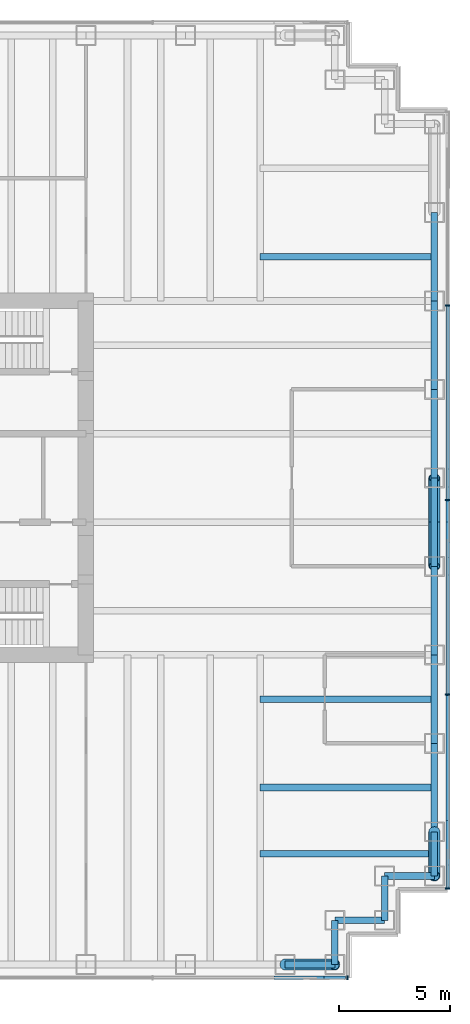
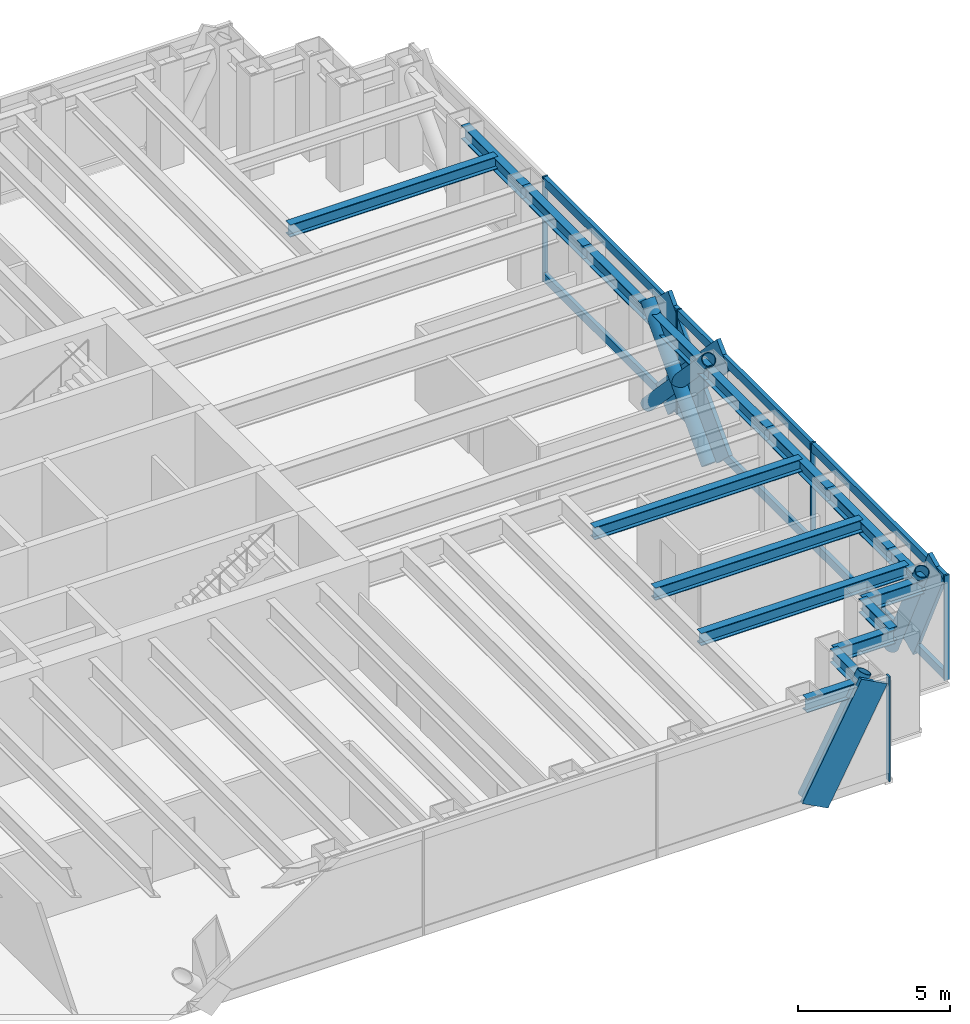
# One storey, part 8 of 15: 19 members, 17 beams, 2 elements without a shape of their own.
"""IFC4 building model written with IfcOpenShell, lengths in metres."""

from ifc_helpers import new_model, si_unit, direction, frame, origin, origin_2d, place, context, subcontext, project, spatial, rectangle, hollow_circle, i_section, extrude, material, material_profile, profile_set, type_object, element, aggregate, save


model = new_model("IFC4")

# Units and contexts
model_context = context("Model", 3, precision=1e-05, world=origin(), true_north=direction((0.0, 1.0)))
body_context = subcontext(model_context, "Body", "Model", "MODEL_VIEW")
ifc_project = project(units=[si_unit("LENGTHUNIT", "METRE"), si_unit("AREAUNIT", "SQUARE_METRE"), si_unit("VOLUMEUNIT", "CUBIC_METRE"), si_unit("PLANEANGLEUNIT", "RADIAN"), si_unit("MASSUNIT", "GRAM", prefix="KILO")], contexts=[model_context])

# Site, building, storey
site_placement = place(None, origin())
site = spatial("IfcSite", under=ifc_project, at=site_placement, CompositionType="ELEMENT")
building_placement = place(site_placement, origin())
building = spatial("IfcBuilding", under=site, at=building_placement, Name="Rheinbord Bourse Tower", CompositionType="ELEMENT")
storey_placement = place(building_placement, frame((0.0, 0.0, 329.89990234375)))
storey = spatial("IfcBuildingStorey", under=building, at=storey_placement, Name="L75", CompositionType="ELEMENT", Elevation=329.89990234375)

# Curtain wall, member
ifc_material_1 = material(Name="Dark glass and black aluminium", Category="aluminium")
curtain_wall_type = type_object("IfcCurtainWallType", Name="CW3 DARK GLASS CURTAIN WALL", PredefinedType="USERDEFINED", material=ifc_material_1)
curtain_wall_1_placement = place(storey_placement, origin())
curtain_wall_1 = element("IfcCurtainWall", 1, at=curtain_wall_1_placement, inside=storey, type_object=curtain_wall_type, Name="Curtain wall CW3 S L75", ObjectType="UNITISED CURTAIN WALL", PredefinedType="USERDEFINED")
ifc_material_2 = material(Name="Black anodised aluminium", Category="aluminium")
ifc_material_profile_1 = material_profile(ifc_material_2, rectangle(XDim=0.14990234375, YDim=1.10791015625, at=origin_2d()), Name="CW3 DIAGONAL MULLION 1108x150")
ifc_profile_set_1 = profile_set([ifc_material_profile_1], Name="Black anodised aluminium")
member_type_1 = type_object("IfcMemberType", Name="CW3 BLACK DIAGONAL MULLION", PredefinedType="USERDEFINED", material=ifc_profile_set_1)
member_1_placement = place(storey_placement, frame((63.0, 1.39990234375, 0.0), z_axis=(0.472204350203, 0.0, 0.881489110341), x_axis=(0.0, 1.0, 0.0)))
member_1 = element("IfcMember", 2, at=member_1_placement, type_object=member_type_1, Name="CW3 diagonal mullion d", ObjectType="DIAGONAL MULLION", PredefinedType="USERDEFINED", context=body_context, shape_type="SweptSolid", body=[
    extrude(rectangle(XDim=0.14990234375, YDim=1.10791015625, at=origin_2d()), origin(), (0.0, 0.0, 1.0), 4.764892578125),
])

# Curtain wall, members
curtain_wall_2_placement = place(storey_placement, origin())
curtain_wall_2 = element("IfcCurtainWall", 3, at=curtain_wall_2_placement, inside=storey, type_object=curtain_wall_type, Name="Curtain wall CW3 E L75", ObjectType="UNITISED CURTAIN WALL", PredefinedType="USERDEFINED")
member_2_placement = place(storey_placement, frame((70.35009765625, 20.0, 0.0), z_axis=(0.0, 0.689638355374, 0.72415394689), x_axis=(-1.0, 0.0, 0.0)))
member_2 = element("IfcMember", 4, at=member_2_placement, type_object=member_type_1, Name="CW3 diagonal mullion a", ObjectType="DIAGONAL MULLION", PredefinedType="USERDEFINED", context=body_context, shape_type="SweptSolid", body=[
    extrude(rectangle(XDim=0.14990234375, YDim=1.10791015625, at=origin_2d()), origin(), (0.0, 0.0, 1.0), 5.800048828125),
])
member_3_placement = place(storey_placement, frame((70.35009765625, 24.0, 0.0), z_axis=(0.0, -0.689638355374, 0.72415394689), x_axis=(1.0, 0.0, 0.0)))
member_3 = element("IfcMember", 5, at=member_3_placement, type_object=member_type_1, Name="CW3 diagonal mullion b", ObjectType="DIAGONAL MULLION", PredefinedType="USERDEFINED", context=body_context, shape_type="SweptSolid", body=[
    extrude(rectangle(XDim=0.14990234375, YDim=1.10791015625, at=origin_2d()), origin(), (0.0, 0.0, 1.0), 5.800048828125),
])
member_4_placement = place(storey_placement, frame((70.35009765625, 8.0, 0.0), z_axis=(0.0, -0.429917283348, 0.902868279141), x_axis=(1.0, 0.0, 0.0)))
member_4 = element("IfcMember", 6, at=member_4_placement, type_object=member_type_1, Name="CW3 diagonal mullion d", ObjectType="DIAGONAL MULLION", PredefinedType="USERDEFINED", context=body_context, shape_type="SweptSolid", body=[
    extrude(rectangle(XDim=0.14990234375, YDim=1.10791015625, at=origin_2d()), origin(), (0.0, 0.0, 1.0), 4.652099609375),
])

# Member
ifc_material_3 = material(Name="Black anodised aluminium", Category="aluminium")
ifc_material_profile_2 = material_profile(ifc_material_3, rectangle(XDim=0.199951171875, YDim=0.06494140625, at=origin_2d()), Name="CW3 MULLION 65x200")
ifc_profile_set_2 = profile_set([ifc_material_profile_2], Name="Black anodised aluminium")
member_type_2 = type_object("IfcMemberType", Name="CW3 BLACK MULLION", PredefinedType="MULLION", material=ifc_profile_set_2)
member_5_placement = place(storey_placement, frame((65.8173828125, 1.39990234375, 0.0), z_axis=(0.0, 0.0, 1.0), x_axis=(0.0, 1.0, 0.0)))
member_5 = element("IfcMember", 7, at=member_5_placement, type_object=member_type_2, Name="CW3 mullion 8", PredefinedType="MULLION", context=body_context, shape_type="SweptSolid", body=[
    extrude(rectangle(XDim=0.199951171875, YDim=0.06494140625, at=origin_2d()), origin(), (0.0, 0.0, 1.0), 4.2001953125),
])

aggregate(curtain_wall_1, [member_5, member_1])

member_6_placement = place(storey_placement, frame((70.35009765625, 5.4326171875, 0.0), z_axis=(0.0, 0.0, 1.0), x_axis=(-1.0, 0.0, 0.0)))
member_6 = element("IfcMember", 8, at=member_6_placement, type_object=member_type_2, Name="CW3 mullion 1", PredefinedType="MULLION", context=body_context, shape_type="SweptSolid", body=[
    extrude(rectangle(XDim=0.199951171875, YDim=0.06494140625, at=origin_2d()), origin(), (0.0, 0.0, 1.0), 4.2001953125),
])

member_7_placement = place(storey_placement, frame((70.35009765625, 14.199951171875, 0.0), z_axis=(0.0, 0.0, 1.0), x_axis=(-1.0, 0.0, 0.0)))
member_7 = element("IfcMember", 9, at=member_7_placement, type_object=member_type_2, Name="CW3 mullion 2", PredefinedType="MULLION", context=body_context, shape_type="SweptSolid", body=[
    extrude(rectangle(XDim=0.199951171875, YDim=0.06494140625, at=origin_2d()), origin(), (0.0, 0.0, 1.0), 4.2001953125),
])

member_8_placement = place(storey_placement, frame((70.35009765625, 23.0, 0.0), z_axis=(0.0, 0.0, 1.0), x_axis=(-1.0, 0.0, 0.0)))
member_8 = element("IfcMember", 10, at=member_8_placement, type_object=member_type_2, Name="CW3 mullion 3", PredefinedType="MULLION", context=body_context, shape_type="SweptSolid", body=[
    extrude(rectangle(XDim=0.199951171875, YDim=0.06494140625, at=origin_2d()), origin(), (0.0, 0.0, 1.0), 4.2001953125),
])

member_9_placement = place(storey_placement, frame((70.35009765625, 31.800048828125, 0.0), z_axis=(0.0, 0.0, 1.0), x_axis=(-1.0, 0.0, 0.0)))
member_9 = element("IfcMember", 11, at=member_9_placement, type_object=member_type_2, Name="CW3 mullion 4", PredefinedType="MULLION", context=body_context, shape_type="SweptSolid", body=[
    extrude(rectangle(XDim=0.199951171875, YDim=0.06494140625, at=origin_2d()), origin(), (0.0, 0.0, 1.0), 4.2001953125),
])

ifc_material_4 = material(Name="Black anodised aluminium", Category="aluminium")
ifc_material_profile_3 = material_profile(ifc_material_4, rectangle(XDim=0.14990234375, YDim=0.35009765625, at=origin_2d()), Name="CW3 TRANSOM 350x150")
ifc_profile_set_3 = profile_set([ifc_material_profile_3], Name="Black anodised aluminium")
member_type_3 = type_object("IfcMemberType", Name="CW3 BLACK TRANSOM", PredefinedType="USERDEFINED", material=ifc_profile_set_3)
member_10_placement = place(storey_placement, frame((70.35009765625, 5.465087890625, 0.175048828125), z_axis=(0.0, 1.0, 0.0), x_axis=(-1.0, 0.0, 0.0)))
member_10 = element("IfcMember", 12, at=member_10_placement, type_object=member_type_3, Name="CW3 transom 1.1", ObjectType="TRANSOM", PredefinedType="USERDEFINED", context=body_context, shape_type="SweptSolid", body=[
    extrude(rectangle(XDim=0.14990234375, YDim=0.35009765625, at=origin_2d()), origin(), (0.0, 0.0, 1.0), 8.702392578125),
])

member_11_placement = place(storey_placement, frame((70.35009765625, 5.465087890625, 4.025146484375), z_axis=(0.0, 1.0, 0.0), x_axis=(-1.0, 0.0, 0.0)))
member_11 = element("IfcMember", 13, at=member_11_placement, type_object=member_type_3, Name="CW3 transom 1.2", ObjectType="TRANSOM", PredefinedType="USERDEFINED", context=body_context, shape_type="SweptSolid", body=[
    extrude(rectangle(XDim=0.14990234375, YDim=0.35009765625, at=origin_2d()), origin(), (0.0, 0.0, 1.0), 8.702392578125),
])

member_12_placement = place(storey_placement, frame((70.35009765625, 14.232421875, 0.175048828125), z_axis=(0.0, 1.0, 0.0), x_axis=(-1.0, 0.0, 0.0)))
member_12 = element("IfcMember", 14, at=member_12_placement, type_object=member_type_3, Name="CW3 transom 2.1", ObjectType="TRANSOM", PredefinedType="USERDEFINED", context=body_context, shape_type="SweptSolid", body=[
    extrude(rectangle(XDim=0.14990234375, YDim=0.35009765625, at=origin_2d()), origin(), (0.0, 0.0, 1.0), 8.735107421875),
])

member_13_placement = place(storey_placement, frame((70.35009765625, 14.232421875, 4.025146484375), z_axis=(0.0, 1.0, 0.0), x_axis=(-1.0, 0.0, 0.0)))
member_13 = element("IfcMember", 15, at=member_13_placement, type_object=member_type_3, Name="CW3 transom 2.2", ObjectType="TRANSOM", PredefinedType="USERDEFINED", context=body_context, shape_type="SweptSolid", body=[
    extrude(rectangle(XDim=0.14990234375, YDim=0.35009765625, at=origin_2d()), origin(), (0.0, 0.0, 1.0), 8.735107421875),
])

member_14_placement = place(storey_placement, frame((70.35009765625, 23.032470703125, 0.175048828125), z_axis=(0.0, 1.0, 0.0), x_axis=(-1.0, 0.0, 0.0)))
member_14 = element("IfcMember", 16, at=member_14_placement, type_object=member_type_3, Name="CW3 transom 3.1", ObjectType="TRANSOM", PredefinedType="USERDEFINED", context=body_context, shape_type="SweptSolid", body=[
    extrude(rectangle(XDim=0.14990234375, YDim=0.35009765625, at=origin_2d()), origin(), (0.0, 0.0, 1.0), 8.735107421875),
])

member_15_placement = place(storey_placement, frame((70.35009765625, 23.032470703125, 4.025146484375), z_axis=(0.0, 1.0, 0.0), x_axis=(-1.0, 0.0, 0.0)))
member_15 = element("IfcMember", 17, at=member_15_placement, type_object=member_type_3, Name="CW3 transom 3.2", ObjectType="TRANSOM", PredefinedType="USERDEFINED", context=body_context, shape_type="SweptSolid", body=[
    extrude(rectangle(XDim=0.14990234375, YDim=0.35009765625, at=origin_2d()), origin(), (0.0, 0.0, 1.0), 8.735107421875),
])

aggregate(curtain_wall_2, [member_6, member_7, member_8, member_9, member_10, member_11, member_12, member_13, member_14, member_15, member_2, member_3, member_4])

# Members
ifc_material_5 = material(Name="Steel S460", Category="steel")
ifc_material_profile_4 = material_profile(ifc_material_5, hollow_circle(Radius=0.25390625, WallThickness=0.030029296875, at=origin_2d()), Name="CHS 508x30")
ifc_profile_set_4 = profile_set([ifc_material_profile_4], Name="Steel S460")
member_type_4 = type_object("IfcMemberType", Name="MEGABRACE CHS 508x30", PredefinedType="BRACE", material=ifc_profile_set_4)
member_16_placement = place(storey_placement, frame((63.0, 2.0, 0.0), z_axis=(0.472204350203, 0.0, 0.881489110341), x_axis=(0.0, 1.0, 0.0)))
element("IfcMember", 18, at=member_16_placement, inside=storey, type_object=member_type_4, Name="Megabrace S face line d L75", PredefinedType="BRACE", context=body_context, shape_type="SweptSolid", body=[
    extrude(hollow_circle(Radius=0.25390625, WallThickness=0.030029296875, at=origin_2d()), origin(), (0.0, 0.0, 1.0), 4.764892578125),
])
for number, where, z_axis, x_axis, name in (
    (19, (69.75, 20.0, 0.0), (0.0, 0.689638355374, 0.72415394689), (-1.0, 0.0, 0.0), "Megabrace E face line a L75"),
    (20, (69.75, 24.0, 0.0), (0.0, -0.689638355374, 0.72415394689), (1.0, 0.0, 0.0), "Megabrace E face line b L75"),
):
    element("IfcMember", number, at=place(storey_placement, frame(where, z_axis=z_axis, x_axis=x_axis)), inside=storey, type_object=member_type_4, Name=name, PredefinedType="BRACE", context=body_context, shape_type="SweptSolid", body=[
        extrude(hollow_circle(Radius=0.25390625, WallThickness=0.030029296875, at=origin_2d()), origin(), (0.0, 0.0, 1.0), 5.800048828125),
    ])
member_17_placement = place(storey_placement, frame((69.75, 8.0, 0.0), z_axis=(0.0, -0.429917283348, 0.902868279141), x_axis=(1.0, 0.0, 0.0)))
element("IfcMember", 21, at=member_17_placement, inside=storey, type_object=member_type_4, Name="Megabrace E face line d L75", PredefinedType="BRACE", context=body_context, shape_type="SweptSolid", body=[
    extrude(hollow_circle(Radius=0.25390625, WallThickness=0.030029296875, at=origin_2d()), origin(), (0.0, 0.0, 1.0), 4.652099609375),
])

# Beams
ifc_material_6 = material(Name="Steel S460", Category="steel")
ifc_material_profile_5 = material_profile(ifc_material_6, i_section(OverallWidth=0.300048828125, OverallDepth=0.550048828125, WebThickness=0.014892578125, FlangeThickness=0.029052734375, at=origin_2d()), Name="HEB 550")
ifc_profile_set_5 = profile_set([ifc_material_profile_5], Name="Steel S460")
beam_type_1 = type_object("IfcBeamType", Name="SPANDREL HEB 550", PredefinedType="SPANDREL", material=ifc_profile_set_5)
beam_1_placement = place(storey_placement, frame((63.0, 2.0, 3.675048828125), z_axis=(1.0, 0.0, 0.0), x_axis=(0.0, 1.0, 0.0)))
element("IfcBeam", 22, at=beam_1_placement, inside=storey, type_object=beam_type_1, Name="Spandrel S-63-SE-E under RF", PredefinedType="SPANDREL", context=body_context, shape_type="SweptSolid", body=[
    extrude(i_section(OverallWidth=0.300048828125, OverallDepth=0.550048828125, WebThickness=0.014892578125, FlangeThickness=0.029052734375, at=origin_2d()), origin(), (0.0, 0.0, 1.0), 2.25),
])
beam_2_placement = place(storey_placement, frame((65.25, 2.0, 3.675048828125), z_axis=(0.0, 1.0, 0.0), x_axis=(-1.0, 0.0, 0.0)))
element("IfcBeam", 23, at=beam_2_placement, inside=storey, type_object=beam_type_1, Name="Spandrel SE-E-SE-D under RF", PredefinedType="SPANDREL", context=body_context, shape_type="SweptSolid", body=[
    extrude(i_section(OverallWidth=0.300048828125, OverallDepth=0.550048828125, WebThickness=0.014892578125, FlangeThickness=0.029052734375, at=origin_2d()), origin(), (0.0, 0.0, 1.0), 2.0),
])
beam_3_placement = place(storey_placement, frame((65.25, 4.0, 3.675048828125), z_axis=(1.0, 0.0, 0.0), x_axis=(0.0, 1.0, 0.0)))
element("IfcBeam", 24, at=beam_3_placement, inside=storey, type_object=beam_type_1, Name="Spandrel SE-D-SE-C under RF", PredefinedType="SPANDREL", context=body_context, shape_type="SweptSolid", body=[
    extrude(i_section(OverallWidth=0.300048828125, OverallDepth=0.550048828125, WebThickness=0.014892578125, FlangeThickness=0.029052734375, at=origin_2d()), origin(), (0.0, 0.0, 1.0), 2.25),
])
beam_4_placement = place(storey_placement, frame((67.5, 4.0, 3.675048828125), z_axis=(0.0, 1.0, 0.0), x_axis=(-1.0, 0.0, 0.0)))
element("IfcBeam", 25, at=beam_4_placement, inside=storey, type_object=beam_type_1, Name="Spandrel SE-C-SE-B under RF", PredefinedType="SPANDREL", context=body_context, shape_type="SweptSolid", body=[
    extrude(i_section(OverallWidth=0.300048828125, OverallDepth=0.550048828125, WebThickness=0.014892578125, FlangeThickness=0.029052734375, at=origin_2d()), origin(), (0.0, 0.0, 1.0), 2.0),
])
beam_5_placement = place(storey_placement, frame((67.5, 6.0, 3.675048828125), z_axis=(1.0, 0.0, 0.0), x_axis=(0.0, 1.0, 0.0)))
element("IfcBeam", 26, at=beam_5_placement, inside=storey, type_object=beam_type_1, Name="Spandrel SE-B-SE-A under RF", PredefinedType="SPANDREL", context=body_context, shape_type="SweptSolid", body=[
    extrude(i_section(OverallWidth=0.300048828125, OverallDepth=0.550048828125, WebThickness=0.014892578125, FlangeThickness=0.029052734375, at=origin_2d()), origin(), (0.0, 0.0, 1.0), 2.25),
])
beam_6_placement = place(storey_placement, frame((69.75, 6.0, 3.675048828125), z_axis=(0.0, 1.0, 0.0), x_axis=(-1.0, 0.0, 0.0)))
element("IfcBeam", 27, at=beam_6_placement, inside=storey, type_object=beam_type_1, Name="Spandrel SE-A-E-8 under RF", PredefinedType="SPANDREL", context=body_context, shape_type="SweptSolid", body=[
    extrude(i_section(OverallWidth=0.300048828125, OverallDepth=0.550048828125, WebThickness=0.014892578125, FlangeThickness=0.029052734375, at=origin_2d()), origin(), (0.0, 0.0, 1.0), 2.0),
])
for number, where, z_axis, x_axis, name in (
    (28, (69.75, 8.0, 3.675048828125), (0.0, 1.0, 0.0), (-1.0, 0.0, 0.0), "Spandrel E-8-E-12 under RF"),
    (29, (69.75, 12.0, 3.675048828125), (0.0, 1.0, 0.0), (-1.0, 0.0, 0.0), "Spandrel E-12-E-16 under RF"),
    (30, (69.75, 16.0, 3.675048828125), (0.0, 1.0, 0.0), (-1.0, 0.0, 0.0), "Spandrel E-16-E-20 under RF"),
    (31, (69.75, 20.0, 3.675048828125), (0.0, 1.0, 0.0), (-1.0, 0.0, 0.0), "Spandrel E-20-E-24 under RF"),
    (32, (69.75, 24.0, 3.675048828125), (0.0, 1.0, 0.0), (-1.0, 0.0, 0.0), "Spandrel E-24-E-28 under RF"),
    (33, (69.75, 28.0, 3.675048828125), (0.0, 1.0, 0.0), (-1.0, 0.0, 0.0), "Spandrel E-28-E-32 under RF"),
    (34, (69.75, 32.0, 3.675048828125), (0.0, 1.0, 0.0), (-1.0, 0.0, 0.0), "Spandrel E-32-E-36 under RF"),
):
    element("IfcBeam", number, at=place(storey_placement, frame(where, z_axis=z_axis, x_axis=x_axis)), inside=storey, type_object=beam_type_1, Name=name, PredefinedType="SPANDREL", context=body_context, shape_type="SweptSolid", body=[
        extrude(i_section(OverallWidth=0.300048828125, OverallDepth=0.550048828125, WebThickness=0.014892578125, FlangeThickness=0.029052734375, at=origin_2d()), origin(), (0.0, 0.0, 1.0), 4.0),
    ])
ifc_material_7 = material(Name="Steel S460", Category="steel")
ifc_material_profile_6 = material_profile(ifc_material_7, i_section(OverallWidth=0.300048828125, OverallDepth=0.5, WebThickness=0.014404296875, FlangeThickness=0.028076171875, at=origin_2d()), Name="HEB 500")
ifc_profile_set_6 = profile_set([ifc_material_profile_6], Name="Steel S460")
beam_type_2 = type_object("IfcBeamType", Name="TIE BEAM HEB 500", PredefinedType="JOIST", material=ifc_profile_set_6)
for number, where, z_axis, x_axis, name in (
    (35, (61.875, 7.0, 3.7001953125), (1.0, 0.0, 0.0), (0.0, 1.0, 0.0), "Tie east 7 RF"),
    (36, (61.875, 10.0, 3.7001953125), (1.0, 0.0, 0.0), (0.0, 1.0, 0.0), "Tie east 10 RF"),
    (37, (61.875, 14.0, 3.7001953125), (1.0, 0.0, 0.0), (0.0, 1.0, 0.0), "Tie east 14 RF"),
    (38, (61.875, 34.0, 3.7001953125), (1.0, 0.0, 0.0), (0.0, 1.0, 0.0), "Tie east 34 RF"),
):
    element("IfcBeam", number, at=place(storey_placement, frame(where, z_axis=z_axis, x_axis=x_axis)), inside=storey, type_object=beam_type_2, Name=name, PredefinedType="JOIST", context=body_context, shape_type="SweptSolid", body=[
        extrude(i_section(OverallWidth=0.300048828125, OverallDepth=0.5, WebThickness=0.014404296875, FlangeThickness=0.028076171875, at=origin_2d()), origin(), (0.0, 0.0, 1.0), 7.875),
    ])

save(model, "model.ifc")
